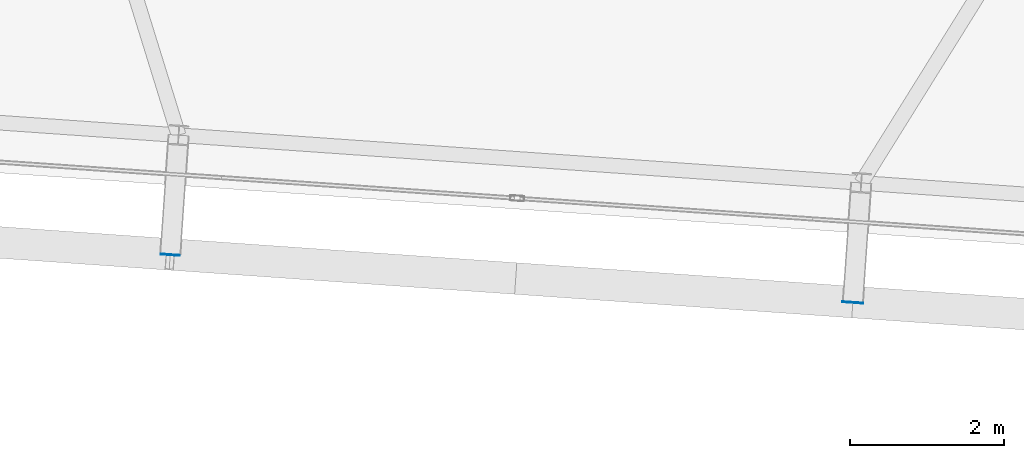
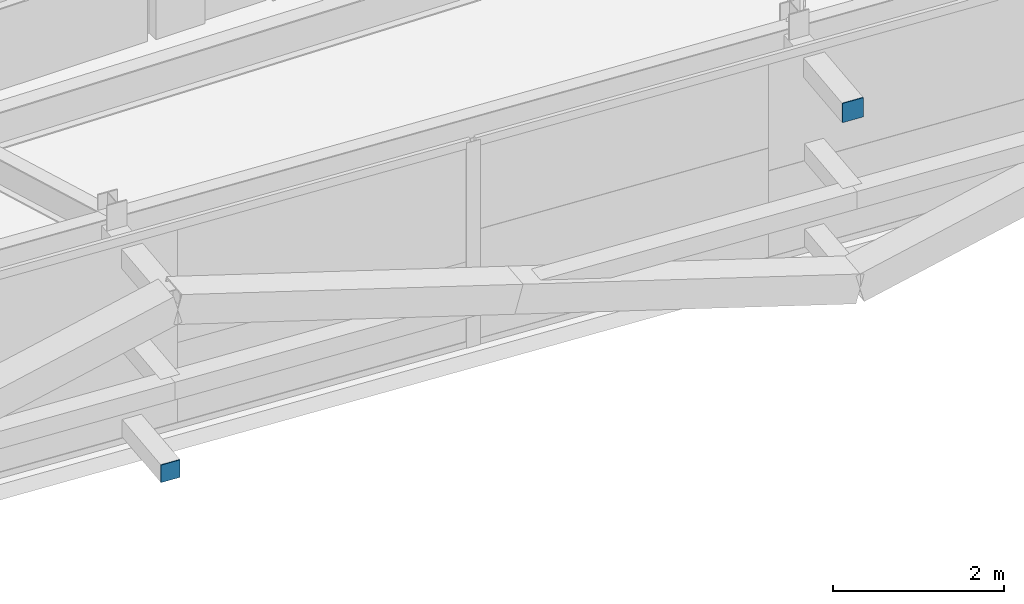
# One storey, part 28 of 39: 2 plates.
"""IFC4 building model written with IfcOpenShell, lengths in metres."""

import ifcopenshell
import ifcopenshell.guid

model = None  # the IFC model being written
_history = None  # IfcOwnerHistory: only IFC2X3 demands one
_inside = {}  # id of a spatial element -> (the spatial element, [elements in it])
_under = {}  # id of a project, library or spatial element -> (it, [spatial elements below it])
_declared = {}  # id of a project -> (the project, [libraries it declares])
_typed = {}  # id of a type object -> (the type object, [elements of that type])
_made_of = {}  # id of a material, layer set ... -> (it, [elements and type objects made of it])


def new_model(schema):
    """Start an empty IFC model of exactly this schema.

    Asked for "IFC4X3", IfcOpenShell would pick the latest addendum, in which some entities
    have other attributes; the version numbers below select the first issue.
    IFC2X3 requires an IfcOwnerHistory on every rooted entity: one is made here for all.
    """
    global model, _history
    if schema == "IFC4X3":
        model = ifcopenshell.file(schema_version=(4, 3, 0, 0))
    else:
        model = ifcopenshell.file(schema=schema)
    _inside.clear()
    _under.clear()
    _declared.clear()
    _typed.clear()
    _made_of.clear()
    _history = None
    if model.schema == "IFC2X3":
        org = make("IfcOrganization", Name="unknown")
        user = make(
            "IfcPersonAndOrganization",
            ThePerson=make("IfcPerson", FamilyName="unknown"),
            TheOrganization=org,
        )
        app = make(
            "IfcApplication",
            ApplicationDeveloper=org,
            Version="unknown",
            ApplicationFullName="unknown",
            ApplicationIdentifier="unknown",
        )
        _history = make(
            "IfcOwnerHistory",
            OwningUser=user,
            OwningApplication=app,
            ChangeAction="ADDED",
            CreationDate=0,
        )
    return model


def make(cls, **values):
    """One entity of the class cls with the attributes given. An attribute that is None is left unset."""
    return model.create_entity(
        cls, **{name: value for name, value in values.items() if value is not None}
    )


def rooted(cls, **values):
    """An entity with a GlobalId (a new one), such as an element, a storey or a relation."""
    return make(cls, GlobalId=ifcopenshell.guid.new(), OwnerHistory=_history, **values)


def si_unit(unit_type, name, prefix=None):
    """IfcSIUnit, for example si_unit("LENGTHUNIT", "METRE", prefix="MILLI")."""
    return make("IfcSIUnit", UnitType=unit_type, Prefix=prefix, Name=name)


def assignment(units):
    """IfcUnitAssignment: the units of a project."""
    return None if units is None else make("IfcUnitAssignment", Units=units)


def point(xyz):
    """IfcCartesianPoint."""
    return None if xyz is None else make("IfcCartesianPoint", Coordinates=xyz)


def direction(xyz):
    """IfcDirection."""
    return None if xyz is None else make("IfcDirection", DirectionRatios=xyz)


def frame(location, z_axis=None, x_axis=None):
    """IfcAxis2Placement3D, a coordinate frame: its origin and axes. An axis left out is left unset."""
    return make(
        "IfcAxis2Placement3D",
        Location=point(location),
        Axis=direction(z_axis),
        RefDirection=direction(x_axis),
    )


def frame_2d(location, x_axis=None):
    """IfcAxis2Placement2D, a coordinate frame in the plane: its origin and x axis."""
    return make(
        "IfcAxis2Placement2D", Location=point(location), RefDirection=direction(x_axis)
    )


def origin():
    """The frame at (0, 0, 0) with its axes left unset."""
    return frame((0.0, 0.0, 0.0))


def origin_2d():
    """The frame at (0, 0) in the plane with its x axis left unset."""
    return frame_2d((0.0, 0.0))


def place(relative_to, where):
    """IfcLocalPlacement: puts the frame where relative to a parent placement (None: the world)."""
    return make(
        "IfcLocalPlacement", PlacementRelTo=relative_to, RelativePlacement=where
    )


def context(
    kind, dimensions, precision=None, world=None, true_north=None, identifier=None
):
    """IfcGeometricRepresentationContext, for example the 3D "Model" context."""
    return make(
        "IfcGeometricRepresentationContext",
        ContextIdentifier=identifier,
        ContextType=kind,
        CoordinateSpaceDimension=dimensions,
        Precision=precision,
        WorldCoordinateSystem=world,
        TrueNorth=true_north,
    )


def subcontext(parent, identifier, kind, view, scale=None):
    """IfcGeometricRepresentationSubContext, for example "Body" below "Model"."""
    return make(
        "IfcGeometricRepresentationSubContext",
        ContextIdentifier=identifier,
        ContextType=kind,
        ParentContext=parent,
        TargetScale=scale,
        TargetView=view,
    )


def project(units=None, contexts=None):
    """IfcProject with its units and contexts."""
    return rooted(
        "IfcProject",
        Name="project",
        RepresentationContexts=contexts,
        UnitsInContext=assignment(units),
    )


def spatial(cls, under=None, at=None, **own):
    """A site, building, storey or space (cls), placed at a placement, below another one or the project."""
    s = rooted(cls, ObjectPlacement=at, **own)
    if under is not None:
        _under.setdefault(under.id(), (under, []))[1].append(s)
    return s


def profile(cls, at=None, kind="AREA", **sizes):
    """A parametric profile (cls). Its sizes go by their IFC names, for example OverallWidth=200.0."""
    return make(cls, ProfileType=kind, Position=at, **sizes)


def rectangle(**sizes):
    """IfcRectangleProfileDef."""
    return profile("IfcRectangleProfileDef", **sizes)


def extrude(swept, where, along, depth):
    """IfcExtrudedAreaSolid: the profile swept, set in the frame where, extruded along a direction by depth."""
    return make(
        "IfcExtrudedAreaSolid",
        SweptArea=swept,
        Position=where,
        ExtrudedDirection=direction(along),
        Depth=depth,
    )


def shape(context_of_items, identifier, shape_type, items):
    """IfcShapeRepresentation: the items that make up one representation, for example the "Body"."""
    return make(
        "IfcShapeRepresentation",
        ContextOfItems=context_of_items,
        RepresentationIdentifier=identifier,
        RepresentationType=shape_type,
        Items=items,
    )


def source(mapping_origin, context_of_items, identifier, shape_type, items):
    """IfcRepresentationMap: a shape defined once, which mapped items show again and again."""
    return make(
        "IfcRepresentationMap",
        MappingOrigin=mapping_origin,
        MappedRepresentation=shape(context_of_items, identifier, shape_type, items),
    )


def transform(
    local_origin,
    x_axis=None,
    y_axis=None,
    z_axis=None,
    scale=None,
    scale2=None,
    scale3=None,
    uniform=True,
):
    """IfcCartesianTransformationOperator3D, or its non-uniform kind. x_axis, y_axis, z_axis: its Axis1, 2, 3."""
    if uniform:
        return make(
            "IfcCartesianTransformationOperator3D",
            Axis1=direction(x_axis),
            Axis2=direction(y_axis),
            LocalOrigin=point(local_origin),
            Scale=scale,
            Axis3=direction(z_axis),
        )
    return make(
        "IfcCartesianTransformationOperator3DnonUniform",
        Axis1=direction(x_axis),
        Axis2=direction(y_axis),
        LocalOrigin=point(local_origin),
        Scale=scale,
        Axis3=direction(z_axis),
        Scale2=scale2,
        Scale3=scale3,
    )


def mapped(mapping_source, mapping_target):
    """IfcMappedItem: shows the shape of a source again, moved by a transform."""
    return make(
        "IfcMappedItem", MappingSource=mapping_source, MappingTarget=mapping_target
    )


def material(Name=None, Category=None):
    """IfcMaterial."""
    return make("IfcMaterial", Name=Name, Category=Category)


def layer(
    of_material, thickness, ventilated=None, Name=None, Category=None, Priority=None
):
    """IfcMaterialLayer: one layer of a wall or slab, of a material (None: an air gap)."""
    return make(
        "IfcMaterialLayer",
        Material=of_material,
        LayerThickness=thickness,
        IsVentilated=ventilated,
        Name=Name,
        Category=Category,
        Priority=Priority,
    )


def layer_set(layers, Name=None):
    """IfcMaterialLayerSet."""
    return make("IfcMaterialLayerSet", MaterialLayers=layers, LayerSetName=Name)


def made_of(thing, what):
    """Note that an element or type object is made of a material, layer set ...; save() writes the relation."""
    if what is not None:
        _made_of.setdefault(what.id(), (what, []))[1].append(thing)
    return thing


def type_object(cls, material=None, **own):
    """A type object (cls), such as IfcWallType, which elements share."""
    return made_of(rooted(cls, **own), material)


def element(
    cls,
    number,
    at=None,
    inside=None,
    cuts=None,
    type_object=None,
    material=None,
    context=None,
    identifier="Body",
    shape_type=None,
    held_by="IfcProductDefinitionShape",
    body=None,
    shapes=None,
    **own,
):
    """One element of the class cls, such as IfcWall. Its Tag is "e" and its number.

    at: its placement. inside: the storey or other place that contains it. cuts: it is an
    opening in that element (IfcRelVoidsElement). A single representation is given by context,
    identifier, shape_type and body (its items); several are given by shapes. held_by: the class
    of the entity that holds the representations. save() writes the other relations.
    """
    e = rooted(cls, Tag="e%d" % number, ObjectPlacement=at, **own)
    if body is not None:
        shapes = [shape(context, identifier, shape_type, body)]
    if shapes is not None:
        e.Representation = make(held_by, Representations=shapes)
    if inside is not None:
        _inside.setdefault(inside.id(), (inside, []))[1].append(e)
    if cuts is not None:
        rooted(
            "IfcRelVoidsElement", RelatingBuildingElement=cuts, RelatedOpeningElement=e
        )
    if type_object is not None:
        _typed.setdefault(type_object.id(), (type_object, []))[1].append(e)
    return made_of(e, material)


def aggregate(whole, parts):
    """IfcRelAggregates: a whole, such as a stair, and the parts it consists of."""
    return rooted("IfcRelAggregates", RelatingObject=whole, RelatedObjects=parts)


def save(model, path):
    """Write the relations noted so far, then the file.

    IfcRelAggregates (storeys below a building ...), IfcRelContainedInSpatialStructure (elements
    in a storey), IfcRelDefinesByType, IfcRelAssociatesMaterial and IfcRelDeclares: one each for
    every whole, place, type object, material and project.
    """
    for whole, parts in _under.values():
        aggregate(whole, parts)
    for where, things in _inside.values():
        rooted(
            "IfcRelContainedInSpatialStructure",
            RelatedElements=things,
            RelatingStructure=where,
        )
    for kind, things in _typed.values():
        rooted("IfcRelDefinesByType", RelatedObjects=things, RelatingType=kind)
    for what, things in _made_of.values():
        rooted("IfcRelAssociatesMaterial", RelatedObjects=things, RelatingMaterial=what)
    for by, libraries in _declared.values():
        rooted("IfcRelDeclares", RelatingContext=by, RelatedDefinitions=libraries)
    model.write(path)


model = new_model("IFC4")

# Units and contexts
model_context = context("Model", 3, precision=1e-05, world=origin(), true_north=direction((0.0, 1.0)))
body_context = subcontext(model_context, "Body", "Model", "MODEL_VIEW")
ifc_project = project(units=[si_unit("LENGTHUNIT", "METRE"), si_unit("AREAUNIT", "SQUARE_METRE"), si_unit("VOLUMEUNIT", "CUBIC_METRE"), si_unit("PLANEANGLEUNIT", "RADIAN"), si_unit("MASSUNIT", "GRAM", prefix="KILO")], contexts=[model_context])

# Site, building, storey
site_placement = place(None, origin())
site = spatial("IfcSite", under=ifc_project, at=site_placement, CompositionType="ELEMENT")
building_placement = place(site_placement, origin())
building = spatial("IfcBuilding", under=site, at=building_placement, Name="Taldren Reach Tower", CompositionType="ELEMENT")
storey_placement = place(building_placement, frame((0.0, 0.0, 129.85009765625)))
storey = spatial("IfcBuildingStorey", under=building, at=storey_placement, Name="L39", CompositionType="ELEMENT", Elevation=129.85009765625)

# Plates
ifc_material_1 = material(Name="Steel Gr 450 (C450L0)", Category="steel")
ifc_layer_1 = layer(ifc_material_1, 0.011962890625)
ifc_layer_set_1 = layer_set([ifc_layer_1], Name="Steel Gr 450 (C450L0)")
plate_type_1 = type_object("IfcPlateType", Name="PL-CAP-275", PredefinedType="SHEET", material=ifc_layer_set_1)
shared_shape_1 = source(origin(), body_context, "Body", "SweptSolid", [
    extrude(rectangle(XDim=0.27490234375, YDim=0.011962890625, at=origin_2d()), origin(), (0.0, 0.0, 1.0), 0.27490234375),
])
plate_1_placement = place(storey_placement, frame((38.330078125, 1.927978515625, 2.512451171875), z_axis=(0.0, 0.0, 1.0), x_axis=(0.99756405026, -0.069756473744, 0.0)))
element("IfcPlate", 1, at=plate_1_placement, inside=storey, type_object=plate_type_1, Name="Tie strut end cap plate B3-S4 L39", PredefinedType="SHEET", context=body_context, shape_type="MappedRepresentation", body=[
    mapped(shared_shape_1, transform((0.0, 0.0, 0.0), scale=1.0)),
])
ifc_material_2 = material(Name="Steel Gr 350 (C350L0)", Category="steel")
ifc_layer_2 = layer(ifc_material_2, 0.011962890625)
ifc_layer_set_2 = layer_set([ifc_layer_2], Name="Steel Gr 350 (C350L0)")
plate_type_2 = type_object("IfcPlateType", Name="PL-CAP-250", PredefinedType="SHEET", material=ifc_layer_set_2)
shared_shape_2 = source(origin(), body_context, "Body", "SweptSolid", [
    extrude(rectangle(XDim=0.25, YDim=0.011962890625, at=origin_2d()), origin(), (0.0, 0.0, 1.0), 0.25),
])
plate_2_placement = place(storey_placement, frame((29.4716796875, 2.54736328125, 0.094970703125), z_axis=(0.0, 0.0, 1.0), x_axis=(0.99756405026, -0.069756473744, 0.0)))
element("IfcPlate", 2, at=plate_2_placement, inside=storey, type_object=plate_type_2, Name="Tie strut end cap plate B3-S3 L39", PredefinedType="SHEET", context=body_context, shape_type="MappedRepresentation", body=[
    mapped(shared_shape_2, transform((0.0, 0.0, 0.0), scale=1.0)),
])

save(model, "model.ifc")
